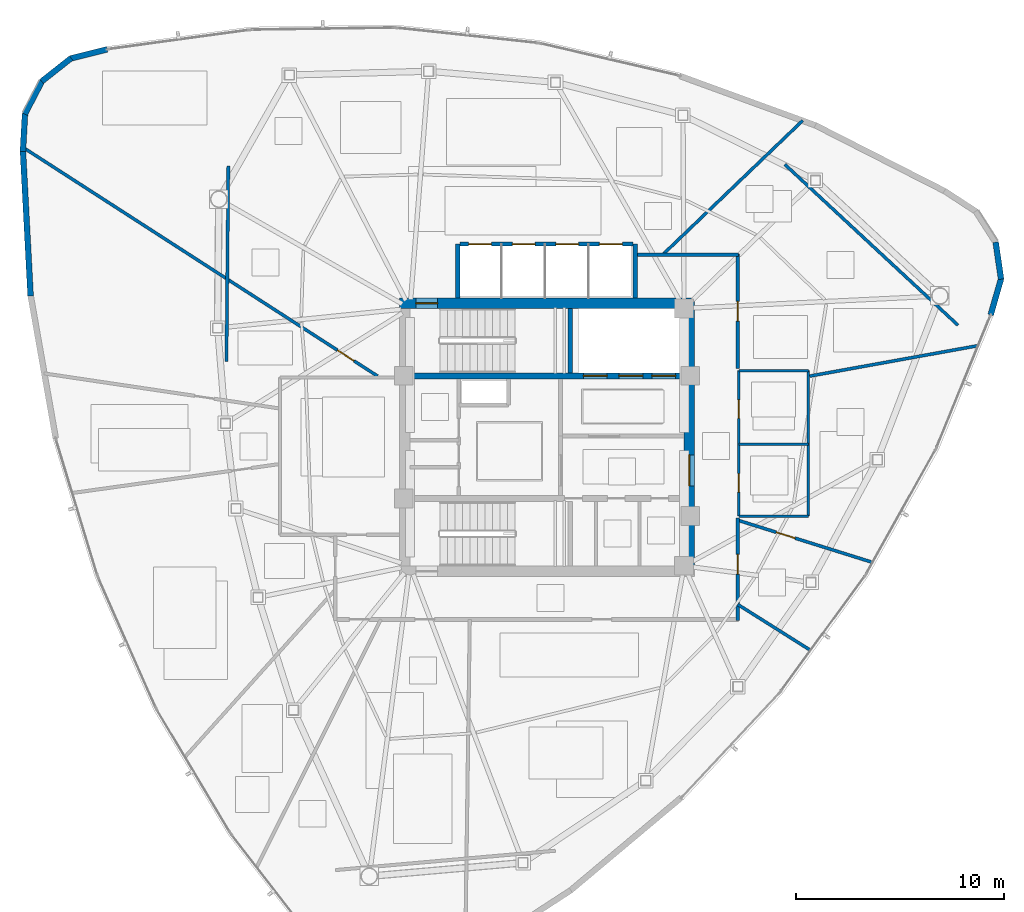
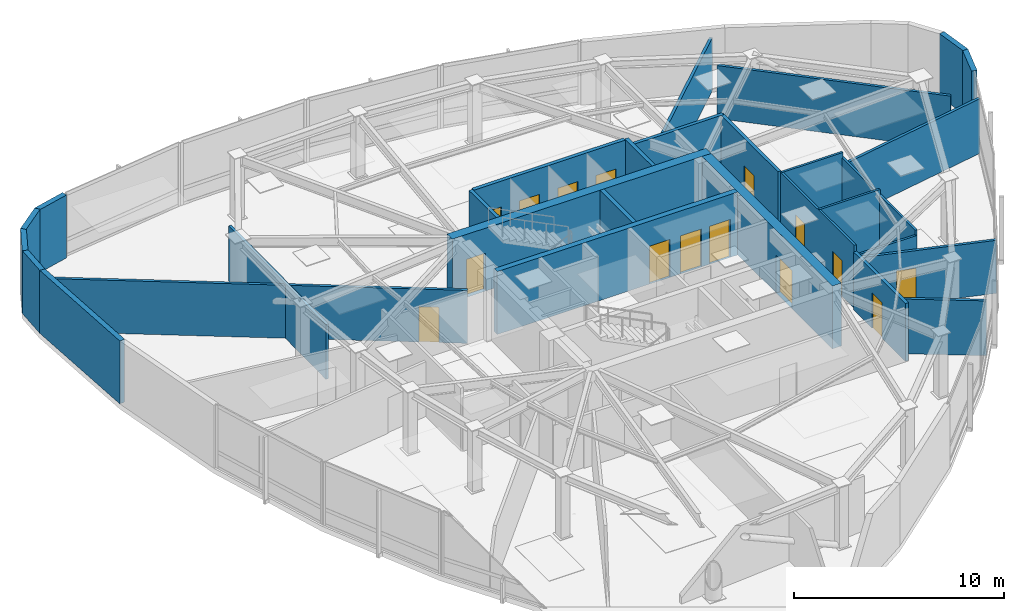
# One storey, part 10 of 14: 29 walls, 15 doors, 15 openings.
"""IFC4 building model written with IfcOpenShell, lengths in metres."""

from ifc_helpers import new_model, si_unit, direction, frame, frame_2d, origin, place, context, subcontext, project, spatial, rectangle, extrude, material, layer, layer_set, type_object, element, fill, save


model = new_model("IFC4")

# Units and contexts
model_context = context("Model", 3, precision=1e-05, world=origin(), true_north=direction((0.0, 1.0)))
body_context = subcontext(model_context, "Body", "Model", "MODEL_VIEW")
ifc_project = project(units=[si_unit("LENGTHUNIT", "METRE"), si_unit("AREAUNIT", "SQUARE_METRE"), si_unit("VOLUMEUNIT", "CUBIC_METRE"), si_unit("PLANEANGLEUNIT", "RADIAN"), si_unit("MASSUNIT", "GRAM", prefix="KILO")], contexts=[model_context])

# Site, building, storey
site_placement = place(None, origin())
site = spatial("IfcSite", under=ifc_project, at=site_placement, CompositionType="ELEMENT")
building_placement = place(site_placement, origin())
building = spatial("IfcBuilding", under=site, at=building_placement, Name="Tavelor Broadcast Tower", CompositionType="ELEMENT")
storey_placement = place(building_placement, frame((0.0, 0.0, 253.75)))
storey = spatial("IfcBuildingStorey", under=building, at=storey_placement, Name="L60", CompositionType="ELEMENT", Elevation=253.75)

# Wall, opening, door
ifc_material_1 = material(Name="Concrete C50/60", Category="concrete")
ifc_layer_1 = layer(ifc_material_1, 0.5)
ifc_layer_set_1 = layer_set([ifc_layer_1], Name="Concrete C50/60")
wall_type_1 = type_object("IfcWallType", Name="Core Shear Wall 500 mm", PredefinedType="SHEAR", material=ifc_layer_set_1)
wall_1_placement = place(storey_placement, frame((42.89990234375, 51.449951171875, 0.0), z_axis=(0.0, 0.0, 1.0), x_axis=(1.0, 0.0, 0.0)))
wall_1 = element("IfcWall", 1, at=wall_1_placement, inside=storey, type_object=wall_type_1, Name="L60 Central Core Shear Wall N", PredefinedType="SHEAR", context=body_context, shape_type="SweptSolid", body=[
    extrude(rectangle(XDim=14.2001953125, YDim=0.5, at=frame_2d((7.10009765625, 0.0))), origin(), (0.0, 0.0, 1.0), 3.64990234375),
])
opening_1_placement = place(wall_1_placement, frame((0.780029296875, 0.0, 0.0)))
opening_1 = element("IfcOpeningElement", 2, at=opening_1_placement, cuts=wall_1, Name="Opening DR11", PredefinedType="OPENING", context=body_context, shape_type="SweptSolid", body=[
    extrude(rectangle(XDim=1.050048828125, YDim=2.199951171875, at=frame_2d((0.52490234375, 1.10009765625))), frame((0.0, 0.260009765625, 0.0), z_axis=(0.0, -1.0, 0.0), x_axis=(1.0, 0.0, 0.0)), (0.0, 0.0, 1.0), 0.52001953125),
])
ifc_material_2 = material(Name="Steel S355", Category="steel")
door_type_1 = type_object("IfcDoorType", Name="Stair Core Fire Escape Door 1050x2200", OperationType="NOTDEFINED", PredefinedType="DOOR", material=ifc_material_2)
door_1_placement = place(opening_1_placement, origin())
door_1 = element("IfcDoor", 3, at=door_1_placement, inside=storey, type_object=door_type_1, Name="L60 Stair ST1 Protected Exit Door", OperationType="SINGLE_SWING_LEFT", OverallHeight=2.199951171875, OverallWidth=1.050048828125, PredefinedType="DOOR", context=body_context, shape_type="SweptSolid", body=[
    extrude(rectangle(XDim=1.050048828125, YDim=2.199951171875, at=frame_2d((0.52490234375, 1.10009765625))), frame((0.0, 0.02490234375, 0.0), z_axis=(0.0, -1.0, 0.0), x_axis=(1.0, 0.0, 0.0)), (0.0, 0.0, 1.0), 0.050048828125),
])
fill(opening_1, door_1)

wall_2_placement = place(storey_placement, frame((56.85009765625, 38.800048828125, 0.0), z_axis=(0.0, 0.0, 1.0), x_axis=(0.0, 1.0, 0.0)))
wall_2 = element("IfcWall", 4, at=wall_2_placement, inside=storey, type_object=wall_type_1, Name="L60 Central Core Shear Wall E", PredefinedType="SHEAR", context=body_context, shape_type="SweptSolid", body=[
    extrude(rectangle(XDim=12.39990234375, YDim=0.5, at=frame_2d((6.199951171875, 0.0))), origin(), (0.0, 0.0, 1.0), 3.64990234375),
])
opening_2_placement = place(wall_2_placement, frame((3.85009765625, 0.0, 0.0)))
opening_2 = element("IfcOpeningElement", 5, at=opening_2_placement, cuts=wall_2, Name="Opening DR14", PredefinedType="OPENING", context=body_context, shape_type="SweptSolid", body=[
    extrude(rectangle(XDim=1.5, YDim=2.199951171875, at=frame_2d((0.75, 1.10009765625))), frame((0.0, 0.260009765625, 0.0), z_axis=(0.0, -1.0, 0.0), x_axis=(1.0, 0.0, 0.0)), (0.0, 0.0, 1.0), 0.52001953125),
])
door_type_2 = type_object("IfcDoorType", Name="Firefighting Lobby Double Fire Door 1500x2200", OperationType="NOTDEFINED", PredefinedType="DOOR", material=ifc_material_2)
door_2_placement = place(opening_2_placement, origin())
door_2 = element("IfcDoor", 6, at=door_2_placement, inside=storey, type_object=door_type_2, Name="L60 Central Core Lobby Fire Door", OperationType="SINGLE_SWING_RIGHT", OverallHeight=2.199951171875, OverallWidth=1.5, PredefinedType="DOOR", context=body_context, shape_type="SweptSolid", body=[
    extrude(rectangle(XDim=1.5, YDim=2.199951171875, at=frame_2d((0.75, 1.10009765625))), frame((0.0, 0.02490234375, 0.0), z_axis=(0.0, -1.0, 0.0), x_axis=(1.0, 0.0, 0.0)), (0.0, 0.0, 1.0), 0.050048828125),
])
fill(opening_2, door_2)

# Wall, openings, doors
ifc_layer_2 = layer(ifc_material_1, 0.300048828125)
ifc_layer_set_2 = layer_set([ifc_layer_2], Name="Concrete C50/60")
wall_type_2 = type_object("IfcWallType", Name="Core Spine Shear Wall 300 mm C50", PredefinedType="SHEAR", material=ifc_layer_set_2)
wall_3_placement = place(storey_placement, frame((43.39990234375, 47.949951171875, 0.0), z_axis=(0.0, 0.0, 1.0), x_axis=(1.0, 0.0, 0.0)))
wall_3 = element("IfcWall", 7, at=wall_3_placement, inside=storey, type_object=wall_type_2, Name="L60 Central Core Shear Wall SP1", PredefinedType="SHEAR", context=body_context, shape_type="SweptSolid", body=[
    extrude(rectangle(XDim=13.2001953125, YDim=0.300048828125, at=frame_2d((6.60009765625, 0.0))), origin(), (0.0, 0.0, 1.0), 3.64990234375),
])
opening_3_placement = place(wall_3_placement, frame((8.344970703125, 0.0, 0.0)))
opening_3 = element("IfcOpeningElement", 8, at=opening_3_placement, cuts=wall_3, Name="Opening LD02", PredefinedType="OPENING", context=body_context, shape_type="SweptSolid", body=[
    extrude(rectangle(XDim=1.14990234375, YDim=2.199951171875, at=frame_2d((0.574951171875, 1.10009765625))), frame((0.0, 0.16015625, 0.0), z_axis=(0.0, -1.0, 0.0), x_axis=(1.0, 0.0, 0.0)), (0.0, 0.0, 1.0), 0.320068359375),
])
opening_4_placement = place(wall_3_placement, frame((10.06494140625, 0.0, 0.0)))
opening_4 = element("IfcOpeningElement", 9, at=opening_4_placement, cuts=wall_3, Name="Opening LD02", PredefinedType="OPENING", context=body_context, shape_type="SweptSolid", body=[
    extrude(rectangle(XDim=1.14990234375, YDim=2.199951171875, at=frame_2d((0.574951171875, 1.10009765625))), frame((0.0, 0.16015625, 0.0), z_axis=(0.0, -1.0, 0.0), x_axis=(1.0, 0.0, 0.0)), (0.0, 0.0, 1.0), 0.320068359375),
])
opening_5_placement = place(wall_3_placement, frame((11.64501953125, 0.0, 0.0)))
opening_5 = element("IfcOpeningElement", 10, at=opening_5_placement, cuts=wall_3, Name="Opening LD03", PredefinedType="OPENING", context=body_context, shape_type="SweptSolid", body=[
    extrude(rectangle(XDim=1.14990234375, YDim=2.199951171875, at=frame_2d((0.574951171875, 1.10009765625))), frame((0.0, 0.16015625, 0.0), z_axis=(0.0, -1.0, 0.0), x_axis=(1.0, 0.0, 0.0)), (0.0, 0.0, 1.0), 0.320068359375),
])
ifc_material_3 = material(Name="Reinforced Brushed Stainless Steel", Category="concrete")
door_type_3 = type_object("IfcDoorType", Name="Broadcast Goods Lift Sliding Landing Door 1250x2200", OperationType="NOTDEFINED", PredefinedType="DOOR", material=ifc_material_3)
door_3_placement = place(opening_5_placement, origin())
door_3 = element("IfcDoor", 11, at=door_3_placement, inside=storey, type_object=door_type_3, Name="L60 Lift SVL1 Sliding Landing Door", OperationType="SLIDING_TO_LEFT", OverallHeight=2.199951171875, OverallWidth=1.14990234375, PredefinedType="DOOR", context=body_context, shape_type="SweptSolid", body=[
    extrude(rectangle(XDim=1.14990234375, YDim=2.199951171875, at=frame_2d((0.574951171875, 1.10009765625))), frame((0.0, 0.02490234375, 0.0), z_axis=(0.0, -1.0, 0.0), x_axis=(1.0, 0.0, 0.0)), (0.0, 0.0, 1.0), 0.050048828125),
])
fill(opening_5, door_3)
ifc_material_4 = material(Name="Fire-Rated Stainless Steel", Category="steel")
door_type_4 = type_object("IfcDoorType", Name="Firefighting Lift Sliding Landing Door 1200x2200", OperationType="NOTDEFINED", PredefinedType="DOOR", material=ifc_material_4)
door_4_placement = place(opening_3_placement, origin())
door_4 = element("IfcDoor", 12, at=door_4_placement, inside=storey, type_object=door_type_4, Name="L60 Lift FFL1 Sliding Landing Door", OperationType="SLIDING_TO_LEFT", OverallHeight=2.199951171875, OverallWidth=1.14990234375, PredefinedType="DOOR", context=body_context, shape_type="SweptSolid", body=[
    extrude(rectangle(XDim=1.14990234375, YDim=2.199951171875, at=frame_2d((0.574951171875, 1.10009765625))), frame((0.0, 0.02490234375, 0.0), z_axis=(0.0, -1.0, 0.0), x_axis=(1.0, 0.0, 0.0)), (0.0, 0.0, 1.0), 0.050048828125),
])
fill(opening_3, door_4)
door_5_placement = place(opening_4_placement, origin())
door_5 = element("IfcDoor", 13, at=door_5_placement, inside=storey, type_object=door_type_4, Name="L60 Lift FFL2 Sliding Landing Door", OperationType="SLIDING_TO_LEFT", OverallHeight=2.199951171875, OverallWidth=1.14990234375, PredefinedType="DOOR", context=body_context, shape_type="SweptSolid", body=[
    extrude(rectangle(XDim=1.14990234375, YDim=2.199951171875, at=frame_2d((0.574951171875, 1.10009765625))), frame((0.0, 0.02490234375, 0.0), z_axis=(0.0, -1.0, 0.0), x_axis=(1.0, 0.0, 0.0)), (0.0, 0.0, 1.0), 0.050048828125),
])
fill(opening_4, door_5)

# Wall
ifc_material_5 = material(Name="Calcium Silicate Fire Board 180 mm", Category="gypsum")
ifc_layer_3 = layer(ifc_material_5, 0.179931640625)
ifc_layer_set_3 = layer_set([ifc_layer_3], Name="Calcium Silicate Fire Board 180 mm")
wall_type_3 = type_object("IfcWallType", Name="Fire-Rated Corridor Partition Wall 180 mm", PredefinedType="PARTITIONING", material=ifc_layer_set_3)
wall_4_placement = place(storey_placement, frame((54.300048828125, 53.780029296875, 0.0), z_axis=(0.0, 0.0, 1.0), x_axis=(1.0, 0.0, 0.0)))
element("IfcWall", 14, at=wall_4_placement, inside=storey, type_object=wall_type_3, Name="L60 Corridor Compartment Wall 01", PredefinedType="PARTITIONING", context=body_context, shape_type="SweptSolid", body=[
    extrude(rectangle(XDim=4.929931640625, YDim=0.179931640625, at=frame_2d((2.46484375, 0.0))), origin(), (0.0, 0.0, 1.0), 3.64990234375),
])

# Wall, opening, door
wall_5_placement = place(storey_placement, frame((59.179931640625, 53.830078125, 0.0), z_axis=(0.0, 0.0, 1.0), x_axis=(0.0, -1.0, 0.0)))
wall_5 = element("IfcWall", 15, at=wall_5_placement, inside=storey, type_object=wall_type_3, Name="L60 Corridor Compartment Wall 02", PredefinedType="PARTITIONING", context=body_context, shape_type="SweptSolid", body=[
    extrude(rectangle(XDim=5.530029296875, YDim=0.179931640625, at=frame_2d((2.76513671875, 0.0))), origin(), (0.0, 0.0, 1.0), 3.64990234375),
])
opening_6_placement = place(wall_5_placement, frame((2.2900390625, 0.0, 0.0)))
opening_6 = element("IfcOpeningElement", 16, at=opening_6_placement, cuts=wall_5, Name="Opening DR18", PredefinedType="OPENING", context=body_context, shape_type="SweptSolid", body=[
    extrude(rectangle(XDim=0.949951171875, YDim=2.050048828125, at=frame_2d((0.47509765625, 1.02490234375))), frame((0.0, 0.10009765625, 0.0), z_axis=(0.0, -1.0, 0.0), x_axis=(1.0, 0.0, 0.0)), (0.0, 0.0, 1.0), 0.199951171875),
])
ifc_material_6 = material(Name="Timber Solid Core Hardwood", Category="wood")
door_type_5 = type_object("IfcDoorType", Name="Corridor Rated Compartment Door 950x2050", OperationType="NOTDEFINED", PredefinedType="DOOR", material=ifc_material_6)
door_6_placement = place(opening_6_placement, origin())
door_6 = element("IfcDoor", 17, at=door_6_placement, inside=storey, type_object=door_type_5, Name="L60 Documentary Research Study Door R7", OperationType="SINGLE_SWING_RIGHT", OverallHeight=2.050048828125, OverallWidth=0.949951171875, PredefinedType="DOOR", context=body_context, shape_type="SweptSolid", body=[
    extrude(rectangle(XDim=0.949951171875, YDim=2.050048828125, at=frame_2d((0.47509765625, 1.02490234375))), frame((0.0, 0.02490234375, 0.0), z_axis=(0.0, -1.0, 0.0), x_axis=(1.0, 0.0, 0.0)), (0.0, 0.0, 1.0), 0.050048828125),
])
fill(opening_6, door_6)

wall_6_placement = place(storey_placement, frame((59.179931640625, 41.10009765625, 0.0), z_axis=(0.0, 0.0, 1.0), x_axis=(0.0, -1.0, 0.0)))
wall_6 = element("IfcWall", 18, at=wall_6_placement, inside=storey, type_object=wall_type_3, Name="L60 Corridor Compartment Wall 03", PredefinedType="PARTITIONING", context=body_context, shape_type="SweptSolid", body=[
    extrude(rectangle(XDim=4.93017578125, YDim=0.179931640625, at=frame_2d((2.465087890625, 0.0))), origin(), (0.0, 0.0, 1.0), 3.35498046875),
])
opening_7_placement = place(wall_6_placement, frame((1.748046875, 0.0, 0.0)))
opening_7 = element("IfcOpeningElement", 19, at=opening_7_placement, cuts=wall_6, Name="Opening DR18", PredefinedType="OPENING", context=body_context, shape_type="SweptSolid", body=[
    extrude(rectangle(XDim=0.949951171875, YDim=2.050048828125, at=frame_2d((0.47509765625, 1.02490234375))), frame((0.0, 0.10009765625, 0.0), z_axis=(0.0, -1.0, 0.0), x_axis=(1.0, 0.0, 0.0)), (0.0, 0.0, 1.0), 0.199951171875),
])
door_7_placement = place(opening_7_placement, origin())
door_7 = element("IfcDoor", 20, at=door_7_placement, inside=storey, type_object=door_type_5, Name="L60 Staff Tea Kitchenette Door R9", OperationType="SINGLE_SWING_LEFT", OverallHeight=2.050048828125, OverallWidth=0.949951171875, PredefinedType="DOOR", context=body_context, shape_type="SweptSolid", body=[
    extrude(rectangle(XDim=0.949951171875, YDim=2.050048828125, at=frame_2d((0.47509765625, 1.02490234375))), frame((0.0, 0.02490234375, 0.0), z_axis=(0.0, -1.0, 0.0), x_axis=(1.0, 0.0, 0.0)), (0.0, 0.0, 1.0), 0.050048828125),
])
fill(opening_7, door_7)

# Walls
ifc_material_7 = material(Name="Precast Concrete C40/50", Category="concrete")
ifc_layer_4 = layer(ifc_material_7, 0.280029296875)
ifc_layer_set_4 = layer_set([ifc_layer_4], Name="Precast Concrete C40/50")
wall_type_4 = type_object("IfcWallType", Name="Insulated Precast Terracotta Facade Wall 280 mm", PredefinedType="STANDARD", material=ifc_layer_set_4)
wall_7_placement = place(storey_placement, frame((28.818115234375, 63.676513671875, 0.0), z_axis=(0.0, 0.0, 1.0), x_axis=(-0.970513044433, -0.241048606271, 0.0)))
element("IfcWall", 21, at=wall_7_placement, inside=storey, type_object=wall_type_4, Name="L60 Rounded Corner Structural Cladding Pier 01", PredefinedType="STANDARD", context=body_context, shape_type="SweptSolid", body=[
    extrude(rectangle(XDim=1.81591796875, YDim=0.280029296875, at=frame_2d((0.907958984375, 0.0))), origin(), (0.0, 0.0, 1.0), 3.64990234375),
])
wall_8_placement = place(storey_placement, frame((27.08203125, 63.251708984375, 0.0), z_axis=(0.0, 0.0, 1.0), x_axis=(-0.785284346205, -0.619135280537, 0.0)))
element("IfcWall", 22, at=wall_8_placement, inside=storey, type_object=wall_type_4, Name="L60 Rounded Corner Structural Cladding Pier 02", PredefinedType="STANDARD", context=body_context, shape_type="SweptSolid", body=[
    extrude(rectangle(XDim=1.804443359375, YDim=0.280029296875, at=frame_2d((0.90234375, 0.0))), origin(), (0.0, 0.0, 1.0), 3.64990234375),
])
wall_9_placement = place(storey_placement, frame((25.68359375, 62.156982421875, 0.0), z_axis=(0.0, 0.0, 1.0), x_axis=(-0.461016121683, -0.887391759906, 0.0)))
element("IfcWall", 23, at=wall_9_placement, inside=storey, type_object=wall_type_4, Name="L60 Rounded Corner Structural Cladding Pier 03", PredefinedType="STANDARD", context=body_context, shape_type="SweptSolid", body=[
    extrude(rectangle(XDim=1.80419921875, YDim=0.280029296875, at=frame_2d((0.902099609375, 0.0))), origin(), (0.0, 0.0, 1.0), 3.64990234375),
])
wall_10_placement = place(storey_placement, frame((24.859619140625, 60.583984375, 0.0), z_axis=(0.0, 0.0, 1.0), x_axis=(-0.054929659098, -0.998490226568, 0.0)))
element("IfcWall", 24, at=wall_10_placement, inside=storey, type_object=wall_type_4, Name="L60 Rounded Corner Structural Cladding Pier 04", PredefinedType="STANDARD", context=body_context, shape_type="SweptSolid", body=[
    extrude(rectangle(XDim=1.82666015625, YDim=0.280029296875, at=frame_2d((0.913330078125, 0.0))), origin(), (0.0, 0.0, 1.0), 3.64990234375),
])
wall_11_placement = place(storey_placement, frame((24.75927734375, 58.789794921875, 0.0), z_axis=(0.0, 0.0, 1.0), x_axis=(0.052756617358, -0.998607399995, 0.0)))
element("IfcWall", 25, at=wall_11_placement, inside=storey, type_object=wall_type_4, Name="L60 Rounded Corner Structural Cladding Pier 05", PredefinedType="STANDARD", context=body_context, shape_type="SweptSolid", body=[
    extrude(rectangle(XDim=6.9970703125, YDim=0.280029296875, at=frame_2d((3.49853515625, 0.0))), origin(), (0.0, 0.0, 1.0), 3.64990234375),
])
wall_12_placement = place(storey_placement, frame((71.365234375, 50.88818359375, 0.0), z_axis=(0.0, 0.0, 1.0), x_axis=(0.276549565127, 0.960999655582, 0.0)))
element("IfcWall", 26, at=wall_12_placement, inside=storey, type_object=wall_type_4, Name="L60 Rounded Corner Structural Cladding Pier 21", PredefinedType="STANDARD", context=body_context, shape_type="SweptSolid", body=[
    extrude(rectangle(XDim=1.81591796875, YDim=0.280029296875, at=frame_2d((0.907958984375, 0.0))), origin(), (0.0, 0.0, 1.0), 3.64990234375),
])
wall_13_placement = place(storey_placement, frame((71.865478515625, 52.60400390625, 0.0), z_axis=(0.0, 0.0, 1.0), x_axis=(-0.143542374069, 0.989644171835, 0.0)))
element("IfcWall", 27, at=wall_13_placement, inside=storey, type_object=wall_type_4, Name="L60 Rounded Corner Structural Cladding Pier 22", PredefinedType="STANDARD", context=body_context, shape_type="SweptSolid", body=[
    extrude(rectangle(XDim=1.8046875, YDim=0.280029296875, at=frame_2d((0.90234375, 0.0))), origin(), (0.0, 0.0, 1.0), 3.64990234375),
])
ifc_material_8 = material(Name="Gypsum Acoustic Plasterboard 150 mm", Category="gypsum")
ifc_layer_5 = layer(ifc_material_8, 0.14990234375)
ifc_layer_set_5 = layer_set([ifc_layer_5], Name="Gypsum Acoustic Plasterboard 150 mm")
wall_type_5 = type_object("IfcWallType", Name="Interior Acoustic Partition Wall 150 mm", PredefinedType="PARTITIONING", material=ifc_layer_set_5)
wall_14_placement = place(storey_placement, frame((34.651611328125, 58.0556640625, 0.0), z_axis=(0.0, 0.0, 1.0), x_axis=(-0.009553538759, -0.999954363907, 0.0)))
element("IfcWall", 28, at=wall_14_placement, inside=storey, type_object=wall_type_5, Name="L60 Corner Tube Brace Furring Wall 1", PredefinedType="PARTITIONING", context=body_context, shape_type="SweptSolid", body=[
    extrude(rectangle(XDim=9.404296875, YDim=0.14990234375, at=frame_2d((4.7021484375, 0.0))), origin(), (0.0, 0.0, 1.0), 3.175048828125),
])
wall_15_placement = place(storey_placement, frame((69.79248046875, 50.387939453125, 0.0), z_axis=(0.0, 0.0, 1.0), x_axis=(-0.732769799181, 0.680476613418, 0.0)))
element("IfcWall", 29, at=wall_15_placement, inside=storey, type_object=wall_type_5, Name="L60 Corner Tube Brace Furring Wall 3", PredefinedType="PARTITIONING", context=body_context, shape_type="SweptSolid", body=[
    extrude(rectangle(XDim=11.377685546875, YDim=0.14990234375, at=frame_2d((5.68896484375, 0.0))), origin(), (0.0, 0.0, 1.0), 3.074951171875),
])

# Wall, opening, door
wall_16_placement = place(storey_placement, frame((41.841796875, 47.93994140625, 0.0), z_axis=(0.0, 0.0, 1.0), x_axis=(-0.840362300132, 0.542025095836, 0.0)))
wall_16 = element("IfcWall", 30, at=wall_16_placement, inside=storey, type_object=wall_type_5, Name="L60 Radial Compartment Wall 01", PredefinedType="PARTITIONING", context=body_context, shape_type="SweptSolid", body=[
    extrude(rectangle(XDim=20.32666015625, YDim=0.14990234375, at=frame_2d((10.163330078125, 0.0))), origin(), (0.0, 0.0, 1.0), 3.074951171875),
])
opening_8_placement = place(wall_16_placement, frame((1.35009765625, 0.0, 0.0)))
opening_8 = element("IfcOpeningElement", 31, at=opening_8_placement, cuts=wall_16, Name="Opening DR18", PredefinedType="OPENING", context=body_context, shape_type="SweptSolid", body=[
    extrude(rectangle(XDim=0.949951171875, YDim=2.050048828125, at=frame_2d((0.47509765625, 1.02490234375))), frame((0.0, 0.0849609375, 0.0), z_axis=(0.0, -1.0, 0.0), x_axis=(1.0, 0.0, 0.0)), (0.0, 0.0, 1.0), 0.169921875),
])
door_8_placement = place(opening_8_placement, origin())
door_8 = element("IfcDoor", 32, at=door_8_placement, inside=storey, type_object=door_type_5, Name="L60 Suite Connecting Door 6", OperationType="SINGLE_SWING_RIGHT", OverallHeight=2.050048828125, OverallWidth=0.949951171875, PredefinedType="DOOR", context=body_context, shape_type="SweptSolid", body=[
    extrude(rectangle(XDim=0.949951171875, YDim=2.050048828125, at=frame_2d((0.47509765625, 1.02490234375))), frame((0.0, 0.02490234375, 0.0), z_axis=(0.0, -1.0, 0.0), x_axis=(1.0, 0.0, 0.0)), (0.0, 0.0, 1.0), 0.050048828125),
])
fill(opening_8, door_8)

# Wall
wall_17_placement = place(storey_placement, frame((59.179931640625, 36.946044921875, 0.0), z_axis=(0.0, 0.0, 1.0), x_axis=(0.84600332898, -0.533177613329, 0.0)))
element("IfcWall", 33, at=wall_17_placement, inside=storey, type_object=wall_type_5, Name="L60 Radial Compartment Wall 07", PredefinedType="PARTITIONING", context=body_context, shape_type="SweptSolid", body=[
    extrude(rectangle(XDim=4.158203125, YDim=0.14990234375, at=frame_2d((2.0791015625, 0.0))), origin(), (0.0, 0.0, 1.0), 3.175048828125),
])

# Wall, opening, door
wall_18_placement = place(storey_placement, frame((59.179931640625, 41.002197265625, 0.0), z_axis=(0.0, 0.0, 1.0), x_axis=(0.95438306304, -0.298584944332, 0.0)))
wall_18 = element("IfcWall", 34, at=wall_18_placement, inside=storey, type_object=wall_type_5, Name="L60 Radial Compartment Wall 08", PredefinedType="PARTITIONING", context=body_context, shape_type="SweptSolid", body=[
    extrude(rectangle(XDim=6.81689453125, YDim=0.14990234375, at=frame_2d((3.408447265625, 0.0))), origin(), (0.0, 0.0, 1.0), 3.074951171875),
])
opening_9_placement = place(wall_18_placement, frame((1.949951171875, 0.0, 0.0)))
opening_9 = element("IfcOpeningElement", 35, at=opening_9_placement, cuts=wall_18, Name="Opening DR18", PredefinedType="OPENING", context=body_context, shape_type="SweptSolid", body=[
    extrude(rectangle(XDim=0.949951171875, YDim=2.050048828125, at=frame_2d((0.47509765625, 1.02490234375))), frame((0.0, 0.0849609375, 0.0), z_axis=(0.0, -1.0, 0.0), x_axis=(1.0, 0.0, 0.0)), (0.0, 0.0, 1.0), 0.169921875),
])
door_9_placement = place(opening_9_placement, origin())
door_9 = element("IfcDoor", 36, at=door_9_placement, inside=storey, type_object=door_type_5, Name="L60 Suite Connecting Door 8", OperationType="SINGLE_SWING_LEFT", OverallHeight=2.050048828125, OverallWidth=0.949951171875, PredefinedType="DOOR", context=body_context, shape_type="SweptSolid", body=[
    extrude(rectangle(XDim=0.949951171875, YDim=2.050048828125, at=frame_2d((0.47509765625, 1.02490234375))), frame((0.0, 0.02490234375, 0.0), z_axis=(0.0, -1.0, 0.0), x_axis=(1.0, 0.0, 0.0)), (0.0, 0.0, 1.0), 0.050048828125),
])
fill(opening_9, door_9)

# Walls
wall_19_placement = place(storey_placement, frame((62.64990234375, 47.93994140625, 0.0), z_axis=(0.0, 0.0, 1.0), x_axis=(0.984026667132, 0.178021117775, 0.0)))
element("IfcWall", 37, at=wall_19_placement, inside=storey, type_object=wall_type_5, Name="L60 Radial Compartment Wall 09", PredefinedType="PARTITIONING", context=body_context, shape_type="SweptSolid", body=[
    extrude(rectangle(XDim=8.253173828125, YDim=0.14990234375, at=frame_2d((4.12646484375, 0.0))), origin(), (0.0, 0.0, 1.0), 3.175048828125),
])
wall_20_placement = place(storey_placement, frame((55.563232421875, 53.780029296875, 0.0), z_axis=(0.0, 0.0, 1.0), x_axis=(0.722044702651, 0.691846404467, 0.0)))
element("IfcWall", 38, at=wall_20_placement, inside=storey, type_object=wall_type_5, Name="L60 Radial Compartment Wall 10", PredefinedType="PARTITIONING", context=body_context, shape_type="SweptSolid", body=[
    extrude(rectangle(XDim=9.353759765625, YDim=0.14990234375, at=frame_2d((4.6767578125, 0.0))), origin(), (0.0, 0.0, 1.0), 3.074951171875),
])

# Wall, openings, doors
ifc_material_9 = material(Name="Concrete Blockwork 200 mm", Category="masonry")
ifc_layer_6 = layer(ifc_material_9, 0.199951171875)
ifc_layer_set_6 = layer_set([ifc_layer_6], Name="Concrete Blockwork 200 mm")
wall_type_6 = type_object("IfcWallType", Name="Lift Hoistway Rated Front Wall 200 mm", PredefinedType="PARTITIONING", material=ifc_layer_set_6)
wall_21_placement = place(storey_placement, frame((45.820068359375, 54.300048828125, 0.0), z_axis=(0.0, 0.0, 1.0), x_axis=(1.0, 0.0, 0.0)))
wall_21 = element("IfcWall", 39, at=wall_21_placement, inside=storey, type_object=wall_type_6, Name="L60 High-Rise Lift Hoistway Front Wall", PredefinedType="PARTITIONING", context=body_context, shape_type="SweptSolid", body=[
    extrude(rectangle(XDim=8.309814453125, YDim=0.199951171875, at=frame_2d((4.15478515625, 0.0))), origin(), (0.0, 0.0, 1.0), 3.64990234375),
])
opening_10_placement = place(wall_21_placement, frame((0.405029296875, 0.0, 0.0)))
opening_10 = element("IfcOpeningElement", 40, at=opening_10_placement, cuts=wall_21, Name="Opening LD01", PredefinedType="OPENING", context=body_context, shape_type="SweptSolid", body=[
    extrude(rectangle(XDim=1.10009765625, YDim=2.14990234375, at=frame_2d((0.550048828125, 1.074951171875))), frame((0.0, 0.10986328125, 0.0), z_axis=(0.0, -1.0, 0.0), x_axis=(1.0, 0.0, 0.0)), (0.0, 0.0, 1.0), 0.219970703125),
])
opening_11_placement = place(wall_21_placement, frame((2.5048828125, 0.0, 0.0)))
opening_11 = element("IfcOpeningElement", 41, at=opening_11_placement, cuts=wall_21, Name="Opening LD01", PredefinedType="OPENING", context=body_context, shape_type="SweptSolid", body=[
    extrude(rectangle(XDim=1.10009765625, YDim=2.14990234375, at=frame_2d((0.550048828125, 1.074951171875))), frame((0.0, 0.10986328125, 0.0), z_axis=(0.0, -1.0, 0.0), x_axis=(1.0, 0.0, 0.0)), (0.0, 0.0, 1.0), 0.219970703125),
])
opening_12_placement = place(wall_21_placement, frame((4.60498046875, 0.0, 0.0)))
opening_12 = element("IfcOpeningElement", 42, at=opening_12_placement, cuts=wall_21, Name="Opening LD01", PredefinedType="OPENING", context=body_context, shape_type="SweptSolid", body=[
    extrude(rectangle(XDim=1.10009765625, YDim=2.14990234375, at=frame_2d((0.550048828125, 1.074951171875))), frame((0.0, 0.10986328125, 0.0), z_axis=(0.0, -1.0, 0.0), x_axis=(1.0, 0.0, 0.0)), (0.0, 0.0, 1.0), 0.219970703125),
])
opening_13_placement = place(wall_21_placement, frame((6.705078125, 0.0, 0.0)))
opening_13 = element("IfcOpeningElement", 43, at=opening_13_placement, cuts=wall_21, Name="Opening LD01", PredefinedType="OPENING", context=body_context, shape_type="SweptSolid", body=[
    extrude(rectangle(XDim=1.10009765625, YDim=2.14990234375, at=frame_2d((0.550048828125, 1.074951171875))), frame((0.0, 0.10986328125, 0.0), z_axis=(0.0, -1.0, 0.0), x_axis=(1.0, 0.0, 0.0)), (0.0, 0.0, 1.0), 0.219970703125),
])
ifc_material_10 = material(Name="Brushed Stainless Steel", Category="steel")
door_type_6 = type_object("IfcDoorType", Name="Passenger Lift Sliding Landing Door 1100x2150", OperationType="NOTDEFINED", PredefinedType="DOOR", material=ifc_material_10)
door_10_placement = place(opening_10_placement, origin())
door_10 = element("IfcDoor", 44, at=door_10_placement, inside=storey, type_object=door_type_6, Name="L60 Lift PLH1 Sliding Landing Door", OperationType="SLIDING_TO_LEFT", OverallHeight=2.14990234375, OverallWidth=1.10009765625, PredefinedType="DOOR", context=body_context, shape_type="SweptSolid", body=[
    extrude(rectangle(XDim=1.10009765625, YDim=2.14990234375, at=frame_2d((0.550048828125, 1.074951171875))), frame((0.0, 0.02490234375, 0.0), z_axis=(0.0, -1.0, 0.0), x_axis=(1.0, 0.0, 0.0)), (0.0, 0.0, 1.0), 0.050048828125),
])
fill(opening_10, door_10)
door_11_placement = place(opening_11_placement, origin())
door_11 = element("IfcDoor", 45, at=door_11_placement, inside=storey, type_object=door_type_6, Name="L60 Lift PLH2 Sliding Landing Door", OperationType="SLIDING_TO_RIGHT", OverallHeight=2.14990234375, OverallWidth=1.10009765625, PredefinedType="DOOR", context=body_context, shape_type="SweptSolid", body=[
    extrude(rectangle(XDim=1.10009765625, YDim=2.14990234375, at=frame_2d((0.550048828125, 1.074951171875))), frame((0.0, 0.02490234375, 0.0), z_axis=(0.0, -1.0, 0.0), x_axis=(1.0, 0.0, 0.0)), (0.0, 0.0, 1.0), 0.050048828125),
])
fill(opening_11, door_11)
door_12_placement = place(opening_12_placement, origin())
door_12 = element("IfcDoor", 46, at=door_12_placement, inside=storey, type_object=door_type_6, Name="L60 Lift PLH3 Sliding Landing Door", OperationType="SLIDING_TO_LEFT", OverallHeight=2.14990234375, OverallWidth=1.10009765625, PredefinedType="DOOR", context=body_context, shape_type="SweptSolid", body=[
    extrude(rectangle(XDim=1.10009765625, YDim=2.14990234375, at=frame_2d((0.550048828125, 1.074951171875))), frame((0.0, 0.02490234375, 0.0), z_axis=(0.0, -1.0, 0.0), x_axis=(1.0, 0.0, 0.0)), (0.0, 0.0, 1.0), 0.050048828125),
])
fill(opening_12, door_12)
door_13_placement = place(opening_13_placement, origin())
door_13 = element("IfcDoor", 47, at=door_13_placement, inside=storey, type_object=door_type_6, Name="L60 Lift PLH4 Sliding Landing Door", OperationType="SLIDING_TO_RIGHT", OverallHeight=2.14990234375, OverallWidth=1.10009765625, PredefinedType="DOOR", context=body_context, shape_type="SweptSolid", body=[
    extrude(rectangle(XDim=1.10009765625, YDim=2.14990234375, at=frame_2d((0.550048828125, 1.074951171875))), frame((0.0, 0.02490234375, 0.0), z_axis=(0.0, -1.0, 0.0), x_axis=(1.0, 0.0, 0.0)), (0.0, 0.0, 1.0), 0.050048828125),
])
fill(opening_13, door_13)

# Walls
ifc_layer_7 = layer(ifc_material_9, 0.199951171875)
ifc_layer_set_7 = layer_set([ifc_layer_7], Name="Concrete Blockwork 200 mm")
wall_type_7 = type_object("IfcWallType", Name="Lift and Riser Shaft Enclosure Wall 200 mm", PredefinedType="PARTITIONING", material=ifc_layer_set_7)
for number, where, z_axis, x_axis, name in (
    (48, (45.699951171875, 51.699951171875, 0.0), (0.0, 0.0, 1.0), (0.0, 1.0, 0.0), "L60 High-Rise Lift Shaft West Wall"),
    (49, (54.25, 51.699951171875, 0.0), (0.0, 0.0, 1.0), (0.0, 1.0, 0.0), "L60 High-Rise Lift Shaft East Wall"),
):
    element("IfcWall", number, at=place(storey_placement, frame(where, z_axis=z_axis, x_axis=x_axis)), inside=storey, type_object=wall_type_7, Name=name, PredefinedType="PARTITIONING", context=body_context, shape_type="SweptSolid", body=[
        extrude(rectangle(XDim=2.60009765625, YDim=0.199951171875, at=frame_2d((1.300048828125, 0.0))), origin(), (0.0, 0.0, 1.0), 3.64990234375),
    ])

# Wall, openings, doors
ifc_material_11 = material(Name="Moisture-Resistant Plasterboard 120 mm", Category="gypsum")
ifc_layer_8 = layer(ifc_material_11, 0.1201171875)
ifc_layer_set_8 = layer_set([ifc_layer_8], Name="Moisture-Resistant Plasterboard 120 mm")
wall_type_8 = type_object("IfcWallType", Name="Moisture-Resistant Wet-Room Partition 120 mm", PredefinedType="PARTITIONING", material=ifc_layer_set_8)
wall_22_placement = place(storey_placement, frame((59.239990234375, 41.199951171875, 0.0), z_axis=(0.0, 0.0, 1.0), x_axis=(0.0, 1.0, 0.0)))
wall_22 = element("IfcWall", 50, at=wall_22_placement, inside=storey, type_object=wall_type_8, Name="L60 Floor Washrooms West Wall", PredefinedType="PARTITIONING", context=body_context, shape_type="SweptSolid", body=[
    extrude(rectangle(XDim=7.0, YDim=0.1201171875, at=frame_2d((3.5, 0.0))), origin(), (0.0, 0.0, 1.0), 3.64990234375),
])
opening_14_placement = place(wall_22_placement, frame((1.14990234375, 0.0, 0.0)))
opening_14 = element("IfcOpeningElement", 51, at=opening_14_placement, cuts=wall_22, Name="Opening DR32", PredefinedType="OPENING", context=body_context, shape_type="SweptSolid", body=[
    extrude(rectangle(XDim=0.89990234375, YDim=2.050048828125, at=frame_2d((0.449951171875, 1.02490234375))), frame((0.0, 0.070068359375, 0.0), z_axis=(0.0, -1.0, 0.0), x_axis=(1.0, 0.0, 0.0)), (0.0, 0.0, 1.0), 0.14013671875),
])
opening_15_placement = place(wall_22_placement, frame((4.699951171875, 0.0, 0.0)))
opening_15 = element("IfcOpeningElement", 52, at=opening_15_placement, cuts=wall_22, Name="Opening DR32", PredefinedType="OPENING", context=body_context, shape_type="SweptSolid", body=[
    extrude(rectangle(XDim=0.89990234375, YDim=2.050048828125, at=frame_2d((0.449951171875, 1.02490234375))), frame((0.0, 0.070068359375, 0.0), z_axis=(0.0, -1.0, 0.0), x_axis=(1.0, 0.0, 0.0)), (0.0, 0.0, 1.0), 0.14013671875),
])
door_type_7 = type_object("IfcDoorType", Name="Accessible Washroom Door 900x2050", OperationType="NOTDEFINED", PredefinedType="DOOR", material=ifc_material_6)
door_14_placement = place(opening_14_placement, origin())
door_14 = element("IfcDoor", 53, at=door_14_placement, inside=storey, type_object=door_type_7, Name="L60 Accessible WC Door", OperationType="SINGLE_SWING_LEFT", OverallHeight=2.050048828125, OverallWidth=0.89990234375, PredefinedType="DOOR", context=body_context, shape_type="SweptSolid", body=[
    extrude(rectangle(XDim=0.89990234375, YDim=2.050048828125, at=frame_2d((0.449951171875, 1.02490234375))), frame((0.0, 0.02490234375, 0.0), z_axis=(0.0, -1.0, 0.0), x_axis=(1.0, 0.0, 0.0)), (0.0, 0.0, 1.0), 0.050048828125),
])
fill(opening_14, door_14)
door_15_placement = place(opening_15_placement, origin())
door_15 = element("IfcDoor", 54, at=door_15_placement, inside=storey, type_object=door_type_7, Name="L60 Staff Washroom WC Door", OperationType="SINGLE_SWING_RIGHT", OverallHeight=2.050048828125, OverallWidth=0.89990234375, PredefinedType="DOOR", context=body_context, shape_type="SweptSolid", body=[
    extrude(rectangle(XDim=0.89990234375, YDim=2.050048828125, at=frame_2d((0.449951171875, 1.02490234375))), frame((0.0, 0.02490234375, 0.0), z_axis=(0.0, -1.0, 0.0), x_axis=(1.0, 0.0, 0.0)), (0.0, 0.0, 1.0), 0.050048828125),
])
fill(opening_15, door_15)

# Walls
wall_23_placement = place(storey_placement, frame((59.239990234375, 41.199951171875, 0.0), z_axis=(0.0, 0.0, 1.0), x_axis=(1.0, 0.0, 0.0)))
element("IfcWall", 55, at=wall_23_placement, inside=storey, type_object=wall_type_8, Name="L60 Floor Washrooms South Wall", PredefinedType="PARTITIONING", context=body_context, shape_type="SweptSolid", body=[
    extrude(rectangle(XDim=3.340087890625, YDim=0.1201171875, at=frame_2d((1.669921875, 0.0))), origin(), (0.0, 0.0, 1.0), 3.074951171875),
])
for number, where, z_axis, x_axis, name in (
    (56, (59.239990234375, 44.64990234375, 0.0), (0.0, 0.0, 1.0), (1.0, 0.0, 0.0), "L60 Floor Washrooms Divider Wall"),
    (57, (59.239990234375, 48.199951171875, 0.0), (0.0, 0.0, 1.0), (1.0, 0.0, 0.0), "L60 Floor Washrooms North Wall"),
):
    element("IfcWall", number, at=place(storey_placement, frame(where, z_axis=z_axis, x_axis=x_axis)), inside=storey, type_object=wall_type_8, Name=name, PredefinedType="PARTITIONING", context=body_context, shape_type="SweptSolid", body=[
        extrude(rectangle(XDim=3.340087890625, YDim=0.1201171875, at=frame_2d((1.669921875, 0.0))), origin(), (0.0, 0.0, 1.0), 3.64990234375),
    ])
wall_24_placement = place(storey_placement, frame((62.580078125, 41.199951171875, 0.0), z_axis=(0.0, 0.0, 1.0), x_axis=(0.0, 1.0, 0.0)))
element("IfcWall", 58, at=wall_24_placement, inside=storey, type_object=wall_type_8, Name="L60 Floor Washrooms East Wall", PredefinedType="PARTITIONING", context=body_context, shape_type="SweptSolid", body=[
    extrude(rectangle(XDim=7.0, YDim=0.1201171875, at=frame_2d((3.5, 0.0))), origin(), (0.0, 0.0, 1.0), 3.35498046875),
])
ifc_material_12 = material(Name="Concrete C40/50", Category="concrete")
ifc_layer_9 = layer(ifc_material_12, 0.219970703125)
ifc_layer_set_9 = layer_set([ifc_layer_9], Name="Concrete C40/50")
wall_type_9 = type_object("IfcWallType", Name="Structural Stairwell Shear Wall 220 mm", PredefinedType="SHEAR", material=ifc_layer_set_9)
wall_25_placement = place(storey_placement, frame((51.110107421875, 48.10009765625, 0.0), z_axis=(0.0, 0.0, 1.0), x_axis=(0.0, 1.0, 0.0)))
element("IfcWall", 59, at=wall_25_placement, inside=storey, type_object=wall_type_9, Name="L60 Stair ST1 Structural Shaft Wall", PredefinedType="SHEAR", context=body_context, shape_type="SweptSolid", body=[
    extrude(rectangle(XDim=3.099853515625, YDim=0.219970703125, at=frame_2d((1.5498046875, 0.0))), origin(), (0.0, 0.0, 1.0), 3.64990234375),
])

save(model, "model.ifc")
